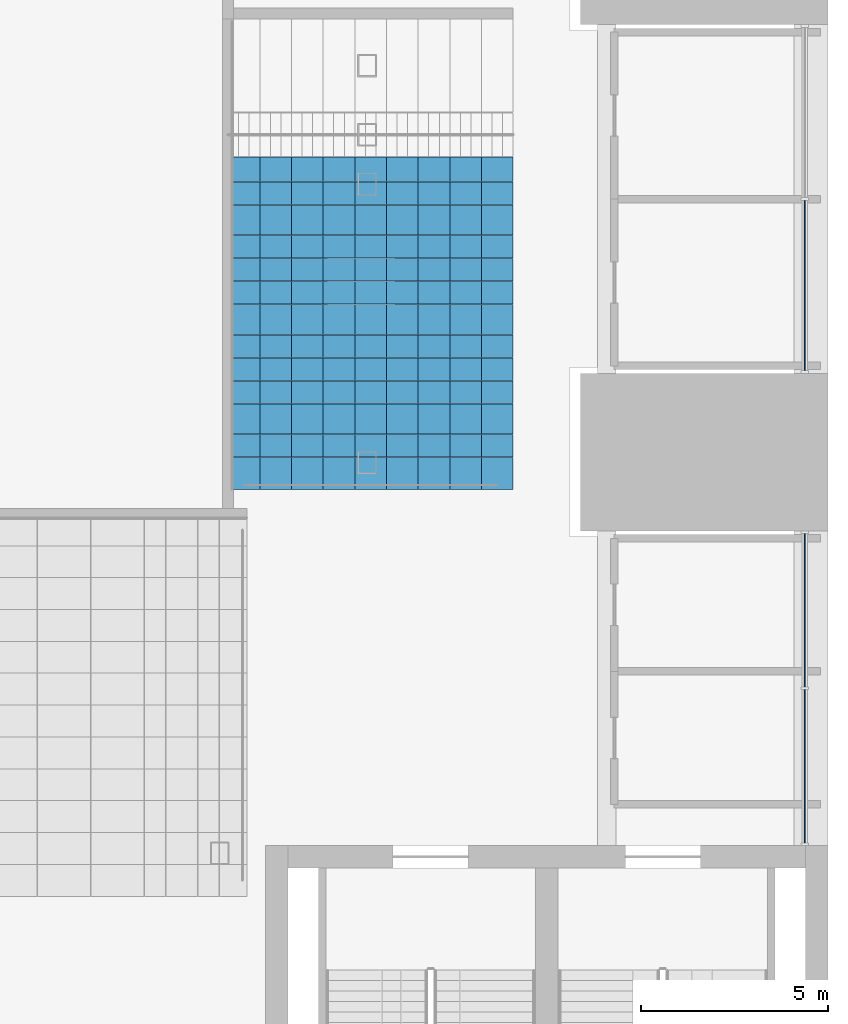
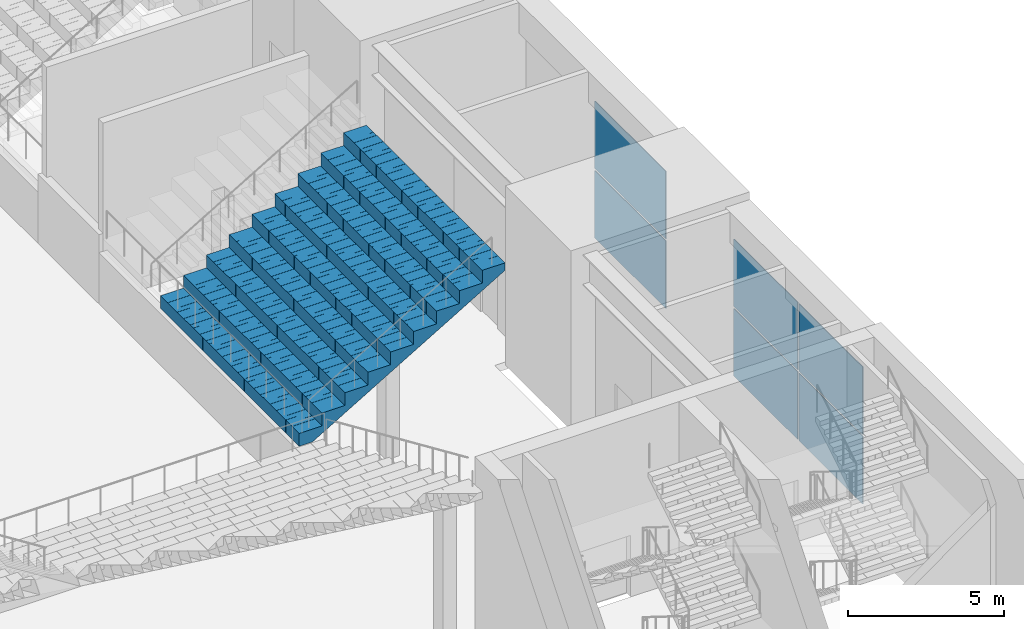
# One storey, part 30 of 62: 6 plates, 1 slab, 2 elements without a shape of their own.
"""IFC4 building model written with IfcOpenShell, lengths in metres."""

from ifc_helpers import new_model, si_unit, direction, frame, origin, origin_2d, place, context, subcontext, project, spatial, polyline, rectangle, outline, extrude, material, layer, layer_set, type_object, element, aggregate, save


model = new_model("IFC4")

# Units and contexts
model_context = context("Model", 3, precision=1e-05, world=origin(), true_north=direction((0.0, 1.0)))
body_context = subcontext(model_context, "Body", "Model", "MODEL_VIEW")
ifc_project = project(units=[si_unit("LENGTHUNIT", "METRE"), si_unit("AREAUNIT", "SQUARE_METRE"), si_unit("VOLUMEUNIT", "CUBIC_METRE"), si_unit("PLANEANGLEUNIT", "RADIAN"), si_unit("MASSUNIT", "GRAM", prefix="KILO")], contexts=[model_context])

# Site, building, storey
site_placement = place(None, origin())
site = spatial("IfcSite", under=ifc_project, at=site_placement, CompositionType="ELEMENT")
building_placement = place(site_placement, origin())
building = spatial("IfcBuilding", under=site, at=building_placement, Name="Corbelhall Arena Tower", CompositionType="ELEMENT")
storey_placement = place(building_placement, frame((0.0, 0.0, 12.0)))
storey = spatial("IfcBuildingStorey", under=building, at=storey_placement, Name="L01", CompositionType="ELEMENT", Elevation=12.0)

# Slab
ifc_material_1 = material(Name="Precast concrete C40/50", Category="concrete")
ifc_layer_1 = layer(ifc_material_1, 0.25)
ifc_layer_set_1 = layer_set([ifc_layer_1], Name="AR-TIER-RAKED")
slab_type = type_object("IfcSlabType", Name="AR-TIER-RAKED", PredefinedType="FLOOR", material=ifc_layer_set_1)
slab_placement = place(storey_placement, frame((32.0, -10.066650390625, 2.0), z_axis=(0.0, 0.0, 1.0), x_axis=(1.0, 0.0, 0.0)))
element("IfcSlab", 1, at=slab_placement, inside=storey, type_object=slab_type, Name="Tier section LEA", PredefinedType="FLOOR", context=body_context, shape_type="SweptSolid", body=[
    extrude(outline(polyline([(0.0, 0.0), (0.0, 0.5), (0.844970703125, 0.5), (0.844970703125, 1.0), (1.68994140625, 1.0), (1.68994140625, 1.5), (2.534912109375, 1.5), (2.534912109375, 2.0), (3.3798828125, 2.0), (3.3798828125, 2.5), (4.22509765625, 2.5), (4.22509765625, 3.0), (5.070068359375, 3.0), (5.070068359375, 3.5), (5.9150390625, 3.5), (5.9150390625, 4.0), (6.760009765625, 4.0), (6.760009765625, 4.5), (7.60498046875, 4.5), (7.60498046875, 5.0), (7.60498046875, 4.20947265625), (0.490966796875, 0.0), (0.0, 0.0)])), frame((0.0, 4.433349609375, 0.0), z_axis=(0.0, -1.0, 0.0), x_axis=(1.0, 0.0, 0.0)), (0.0, 0.0, 1.0), 0.449951171875),
    extrude(outline(polyline([(0.0, 0.0), (0.0, 0.5), (0.844970703125, 0.5), (0.844970703125, 1.0), (1.68994140625, 1.0), (1.68994140625, 1.5), (2.534912109375, 1.5), (2.534912109375, 2.0), (3.3798828125, 2.0), (3.3798828125, 2.5), (4.22509765625, 2.5), (4.22509765625, 3.0), (5.070068359375, 3.0), (5.070068359375, 3.5), (5.9150390625, 3.5), (5.9150390625, 4.0), (6.760009765625, 4.0), (6.760009765625, 4.5), (7.60498046875, 4.5), (7.60498046875, 5.0), (7.60498046875, 4.20947265625), (0.490966796875, 0.0), (0.0, 0.0)])), frame((0.0, 3.979248046875, 0.0), z_axis=(0.0, -1.0, 0.0), x_axis=(1.0, 0.0, 0.0)), (0.0, 0.0, 1.0), 0.2001953125),
    extrude(outline(polyline([(0.0, 0.0), (0.0, 0.5), (0.844970703125, 0.5), (0.844970703125, 1.0), (1.68994140625, 1.0), (1.68994140625, 1.5), (2.534912109375, 1.5), (2.534912109375, 2.0), (3.3798828125, 2.0), (3.3798828125, 2.5), (4.22509765625, 2.5), (4.22509765625, 3.0), (5.070068359375, 3.0), (5.070068359375, 3.5), (5.9150390625, 3.5), (5.9150390625, 4.0), (6.760009765625, 4.0), (6.760009765625, 4.5), (7.60498046875, 4.5), (7.60498046875, 5.0), (7.60498046875, 4.20947265625), (0.490966796875, 0.0), (0.0, 0.0)])), frame((0.0, 3.775146484375, 0.0), z_axis=(0.0, -1.0, 0.0), x_axis=(1.0, 0.0, 0.0)), (0.0, 0.0, 1.0), 0.2001953125),
    extrude(outline(polyline([(0.0, 0.0), (0.0, 0.5), (0.844970703125, 0.5), (0.844970703125, 1.0), (1.68994140625, 1.0), (1.68994140625, 1.5), (2.534912109375, 1.5), (2.534912109375, 2.0), (3.3798828125, 2.0), (3.3798828125, 2.5), (4.22509765625, 2.5), (4.22509765625, 3.0), (5.070068359375, 3.0), (5.070068359375, 3.5), (5.9150390625, 3.5), (5.9150390625, 4.0), (6.760009765625, 4.0), (6.760009765625, 4.5), (7.60498046875, 4.5), (7.60498046875, 5.0), (7.60498046875, 4.20947265625), (0.490966796875, 0.0), (0.0, 0.0)])), frame((0.0, 3.571044921875, 0.0), z_axis=(0.0, -1.0, 0.0), x_axis=(1.0, 0.0, 0.0)), (0.0, 0.0, 1.0), 0.2001953125),
    extrude(outline(polyline([(0.0, 0.0), (0.0, 0.5), (0.844970703125, 0.5), (0.844970703125, 1.0), (1.68994140625, 1.0), (1.68994140625, 1.5), (2.534912109375, 1.5), (2.534912109375, 2.0), (3.3798828125, 2.0), (3.3798828125, 2.5), (4.22509765625, 2.5), (4.22509765625, 3.0), (5.070068359375, 3.0), (5.070068359375, 3.5), (5.9150390625, 3.5), (5.9150390625, 4.0), (6.760009765625, 4.0), (6.760009765625, 4.5), (7.60498046875, 4.5), (7.60498046875, 5.0), (7.60498046875, 4.20947265625), (0.490966796875, 0.0), (0.0, 0.0)])), frame((0.0, 3.366943359375, 0.0), z_axis=(0.0, -1.0, 0.0), x_axis=(1.0, 0.0, 0.0)), (0.0, 0.0, 1.0), 0.2001953125),
    extrude(outline(polyline([(0.0, 0.0), (0.0, 0.5), (0.844970703125, 0.5), (0.844970703125, 1.0), (1.68994140625, 1.0), (1.68994140625, 1.5), (2.534912109375, 1.5), (2.534912109375, 2.0), (3.3798828125, 2.0), (3.3798828125, 2.5), (4.22509765625, 2.5), (4.22509765625, 3.0), (5.070068359375, 3.0), (5.070068359375, 3.5), (5.9150390625, 3.5), (5.9150390625, 4.0), (6.760009765625, 4.0), (6.760009765625, 4.5), (7.60498046875, 4.5), (7.60498046875, 5.0), (7.60498046875, 4.20947265625), (0.490966796875, 0.0), (0.0, 0.0)])), frame((0.0, 3.16259765625, 0.0), z_axis=(0.0, -1.0, 0.0), x_axis=(1.0, 0.0, 0.0)), (0.0, 0.0, 1.0), 0.2001953125),
    extrude(outline(polyline([(0.0, 0.0), (0.0, 0.5), (0.844970703125, 0.5), (0.844970703125, 1.0), (1.68994140625, 1.0), (1.68994140625, 1.5), (2.534912109375, 1.5), (2.534912109375, 2.0), (3.3798828125, 2.0), (3.3798828125, 2.5), (4.22509765625, 2.5), (4.22509765625, 3.0), (5.070068359375, 3.0), (5.070068359375, 3.5), (5.9150390625, 3.5), (5.9150390625, 4.0), (6.760009765625, 4.0), (6.760009765625, 4.5), (7.60498046875, 4.5), (7.60498046875, 5.0), (7.60498046875, 4.20947265625), (0.490966796875, 0.0), (0.0, 0.0)])), frame((0.0, 2.95849609375, 0.0), z_axis=(0.0, -1.0, 0.0), x_axis=(1.0, 0.0, 0.0)), (0.0, 0.0, 1.0), 0.2001953125),
    extrude(outline(polyline([(0.0, 0.0), (0.0, 0.5), (0.844970703125, 0.5), (0.844970703125, 1.0), (1.68994140625, 1.0), (1.68994140625, 1.5), (2.534912109375, 1.5), (2.534912109375, 2.0), (3.3798828125, 2.0), (3.3798828125, 2.5), (4.22509765625, 2.5), (4.22509765625, 3.0), (5.070068359375, 3.0), (5.070068359375, 3.5), (5.9150390625, 3.5), (5.9150390625, 4.0), (6.760009765625, 4.0), (6.760009765625, 4.5), (7.60498046875, 4.5), (7.60498046875, 5.0), (7.60498046875, 4.20947265625), (0.490966796875, 0.0), (0.0, 0.0)])), frame((0.0, 2.75439453125, 0.0), z_axis=(0.0, -1.0, 0.0), x_axis=(1.0, 0.0, 0.0)), (0.0, 0.0, 1.0), 0.2001953125),
    extrude(outline(polyline([(0.0, 0.0), (0.0, 0.5), (0.844970703125, 0.5), (0.844970703125, 1.0), (1.68994140625, 1.0), (1.68994140625, 1.5), (2.534912109375, 1.5), (2.534912109375, 2.0), (3.3798828125, 2.0), (3.3798828125, 2.5), (4.22509765625, 2.5), (4.22509765625, 3.0), (5.070068359375, 3.0), (5.070068359375, 3.5), (5.9150390625, 3.5), (5.9150390625, 4.0), (6.760009765625, 4.0), (6.760009765625, 4.5), (7.60498046875, 4.5), (7.60498046875, 5.0), (7.60498046875, 4.20947265625), (0.490966796875, 0.0), (0.0, 0.0)])), frame((0.0, 2.550048828125, 0.0), z_axis=(0.0, -1.0, 0.0), x_axis=(1.0, 0.0, 0.0)), (0.0, 0.0, 1.0), 0.2001953125),
    extrude(outline(polyline([(0.0, 0.0), (0.0, 0.5), (0.844970703125, 0.5), (0.844970703125, 1.0), (1.68994140625, 1.0), (1.68994140625, 1.5), (2.534912109375, 1.5), (2.534912109375, 2.0), (3.3798828125, 2.0), (3.3798828125, 2.5), (4.22509765625, 2.5), (4.22509765625, 3.0), (5.070068359375, 3.0), (5.070068359375, 3.5), (5.9150390625, 3.5), (5.9150390625, 4.0), (6.760009765625, 4.0), (6.760009765625, 4.5), (7.60498046875, 4.5), (7.60498046875, 5.0), (7.60498046875, 4.20947265625), (0.490966796875, 0.0), (0.0, 0.0)])), frame((0.0, 2.345947265625, 0.0), z_axis=(0.0, -1.0, 0.0), x_axis=(1.0, 0.0, 0.0)), (0.0, 0.0, 1.0), 0.2001953125),
    extrude(outline(polyline([(0.0, 0.0), (0.0, 0.5), (0.844970703125, 0.5), (0.844970703125, 1.0), (1.68994140625, 1.0), (1.68994140625, 1.5), (2.534912109375, 1.5), (2.534912109375, 2.0), (3.3798828125, 2.0), (3.3798828125, 2.5), (4.22509765625, 2.5), (4.22509765625, 3.0), (5.070068359375, 3.0), (5.070068359375, 3.5), (5.9150390625, 3.5), (5.9150390625, 4.0), (6.760009765625, 4.0), (6.760009765625, 4.5), (7.60498046875, 4.5), (7.60498046875, 5.0), (7.60498046875, 4.20947265625), (0.490966796875, 0.0), (0.0, 0.0)])), frame((0.0, 2.141845703125, 0.0), z_axis=(0.0, -1.0, 0.0), x_axis=(1.0, 0.0, 0.0)), (0.0, 0.0, 1.0), 0.2001953125),
    extrude(outline(polyline([(0.0, 0.0), (0.0, 0.5), (0.844970703125, 0.5), (0.844970703125, 1.0), (1.68994140625, 1.0), (1.68994140625, 1.5), (2.534912109375, 1.5), (2.534912109375, 2.0), (3.3798828125, 2.0), (3.3798828125, 2.5), (4.22509765625, 2.5), (4.22509765625, 3.0), (5.070068359375, 3.0), (5.070068359375, 3.5), (5.9150390625, 3.5), (5.9150390625, 4.0), (6.760009765625, 4.0), (6.760009765625, 4.5), (7.60498046875, 4.5), (7.60498046875, 5.0), (7.60498046875, 4.20947265625), (0.490966796875, 0.0), (0.0, 0.0)])), frame((0.0, 1.937744140625, 0.0), z_axis=(0.0, -1.0, 0.0), x_axis=(1.0, 0.0, 0.0)), (0.0, 0.0, 1.0), 0.2001953125),
    extrude(outline(polyline([(0.0, 0.0), (0.0, 0.5), (0.844970703125, 0.5), (0.844970703125, 1.0), (1.68994140625, 1.0), (1.68994140625, 1.5), (2.534912109375, 1.5), (2.534912109375, 2.0), (3.3798828125, 2.0), (3.3798828125, 2.5), (4.22509765625, 2.5), (4.22509765625, 3.0), (5.070068359375, 3.0), (5.070068359375, 3.5), (5.9150390625, 3.5), (5.9150390625, 4.0), (6.760009765625, 4.0), (6.760009765625, 4.5), (7.60498046875, 4.5), (7.60498046875, 5.0), (7.60498046875, 4.20947265625), (0.490966796875, 0.0), (0.0, 0.0)])), frame((0.0, 1.7333984375, 0.0), z_axis=(0.0, -1.0, 0.0), x_axis=(1.0, 0.0, 0.0)), (0.0, 0.0, 1.0), 0.2001953125),
    extrude(outline(polyline([(0.0, 0.0), (0.0, 0.5), (0.844970703125, 0.5), (0.844970703125, 1.0), (1.68994140625, 1.0), (1.68994140625, 1.5), (2.534912109375, 1.5), (2.534912109375, 2.0), (3.3798828125, 2.0), (3.3798828125, 2.5), (4.22509765625, 2.5), (4.22509765625, 3.0), (5.070068359375, 3.0), (5.070068359375, 3.5), (5.9150390625, 3.5), (5.9150390625, 4.0), (6.760009765625, 4.0), (6.760009765625, 4.5), (7.60498046875, 4.5), (7.60498046875, 5.0), (7.60498046875, 4.20947265625), (0.490966796875, 0.0), (0.0, 0.0)])), frame((0.0, 1.529296875, 0.0), z_axis=(0.0, -1.0, 0.0), x_axis=(1.0, 0.0, 0.0)), (0.0, 0.0, 1.0), 0.2001953125),
    extrude(outline(polyline([(0.0, 0.0), (0.0, 0.5), (0.844970703125, 0.5), (0.844970703125, 1.0), (1.68994140625, 1.0), (1.68994140625, 1.5), (2.534912109375, 1.5), (2.534912109375, 2.0), (3.3798828125, 2.0), (3.3798828125, 2.5), (4.22509765625, 2.5), (4.22509765625, 3.0), (5.070068359375, 3.0), (5.070068359375, 3.5), (5.9150390625, 3.5), (5.9150390625, 4.0), (6.760009765625, 4.0), (6.760009765625, 4.5), (7.60498046875, 4.5), (7.60498046875, 5.0), (7.60498046875, 4.20947265625), (0.490966796875, 0.0), (0.0, 0.0)])), frame((0.0, 1.3251953125, 0.0), z_axis=(0.0, -1.0, 0.0), x_axis=(1.0, 0.0, 0.0)), (0.0, 0.0, 1.0), 0.2001953125),
    extrude(outline(polyline([(0.0, 0.0), (0.0, 0.5), (0.844970703125, 0.5), (0.844970703125, 1.0), (1.68994140625, 1.0), (1.68994140625, 1.5), (2.534912109375, 1.5), (2.534912109375, 2.0), (3.3798828125, 2.0), (3.3798828125, 2.5), (4.22509765625, 2.5), (4.22509765625, 3.0), (5.070068359375, 3.0), (5.070068359375, 3.5), (5.9150390625, 3.5), (5.9150390625, 4.0), (6.760009765625, 4.0), (6.760009765625, 4.5), (7.60498046875, 4.5), (7.60498046875, 5.0), (7.60498046875, 4.20947265625), (0.490966796875, 0.0), (0.0, 0.0)])), frame((0.0, 1.120849609375, 0.0), z_axis=(0.0, -1.0, 0.0), x_axis=(1.0, 0.0, 0.0)), (0.0, 0.0, 1.0), 0.2001953125),
    extrude(outline(polyline([(0.0, 0.0), (0.0, 0.5), (0.844970703125, 0.5), (0.844970703125, 1.0), (1.68994140625, 1.0), (1.68994140625, 1.5), (2.534912109375, 1.5), (2.534912109375, 2.0), (3.3798828125, 2.0), (3.3798828125, 2.5), (4.22509765625, 2.5), (4.22509765625, 3.0), (5.070068359375, 3.0), (5.070068359375, 3.5), (5.9150390625, 3.5), (5.9150390625, 4.0), (6.760009765625, 4.0), (6.760009765625, 4.5), (7.60498046875, 4.5), (7.60498046875, 5.0), (7.60498046875, 4.20947265625), (0.490966796875, 0.0), (0.0, 0.0)])), frame((0.0, 0.916748046875, 0.0), z_axis=(0.0, -1.0, 0.0), x_axis=(1.0, 0.0, 0.0)), (0.0, 0.0, 1.0), 0.2001953125),
    extrude(outline(polyline([(0.0, 0.0), (0.0, 0.5), (0.844970703125, 0.5), (0.844970703125, 1.0), (1.68994140625, 1.0), (1.68994140625, 1.5), (2.534912109375, 1.5), (2.534912109375, 2.0), (3.3798828125, 2.0), (3.3798828125, 2.5), (4.22509765625, 2.5), (4.22509765625, 3.0), (5.070068359375, 3.0), (5.070068359375, 3.5), (5.9150390625, 3.5), (5.9150390625, 4.0), (6.760009765625, 4.0), (6.760009765625, 4.5), (7.60498046875, 4.5), (7.60498046875, 5.0), (7.60498046875, 4.20947265625), (0.490966796875, 0.0), (0.0, 0.0)])), frame((0.0, 0.712646484375, 0.0), z_axis=(0.0, -1.0, 0.0), x_axis=(1.0, 0.0, 0.0)), (0.0, 0.0, 1.0), 0.2001953125),
    extrude(outline(polyline([(0.0, 0.0), (0.0, 0.5), (0.844970703125, 0.5), (0.844970703125, 1.0), (1.68994140625, 1.0), (1.68994140625, 1.5), (2.534912109375, 1.5), (2.534912109375, 2.0), (3.3798828125, 2.0), (3.3798828125, 2.5), (4.22509765625, 2.5), (4.22509765625, 3.0), (5.070068359375, 3.0), (5.070068359375, 3.5), (5.9150390625, 3.5), (5.9150390625, 4.0), (6.760009765625, 4.0), (6.760009765625, 4.5), (7.60498046875, 4.5), (7.60498046875, 5.0), (7.60498046875, 4.20947265625), (0.490966796875, 0.0), (0.0, 0.0)])), frame((0.0, 0.508544921875, 0.0), z_axis=(0.0, -1.0, 0.0), x_axis=(1.0, 0.0, 0.0)), (0.0, 0.0, 1.0), 0.2001953125),
    extrude(outline(polyline([(0.0, 0.0), (0.0, 0.5), (0.844970703125, 0.5), (0.844970703125, 1.0), (1.68994140625, 1.0), (1.68994140625, 1.5), (2.534912109375, 1.5), (2.534912109375, 2.0), (3.3798828125, 2.0), (3.3798828125, 2.5), (4.22509765625, 2.5), (4.22509765625, 3.0), (5.070068359375, 3.0), (5.070068359375, 3.5), (5.9150390625, 3.5), (5.9150390625, 4.0), (6.760009765625, 4.0), (6.760009765625, 4.5), (7.60498046875, 4.5), (7.60498046875, 5.0), (7.60498046875, 4.20947265625), (0.490966796875, 0.0), (0.0, 0.0)])), frame((0.0, 0.30419921875, 0.0), z_axis=(0.0, -1.0, 0.0), x_axis=(1.0, 0.0, 0.0)), (0.0, 0.0, 1.0), 0.2001953125),
    extrude(outline(polyline([(0.0, 0.0), (0.0, 0.5), (0.844970703125, 0.5), (0.844970703125, 1.0), (1.68994140625, 1.0), (1.68994140625, 1.5), (2.534912109375, 1.5), (2.534912109375, 2.0), (3.3798828125, 2.0), (3.3798828125, 2.5), (4.22509765625, 2.5), (4.22509765625, 3.0), (5.070068359375, 3.0), (5.070068359375, 3.5), (5.9150390625, 3.5), (5.9150390625, 4.0), (6.760009765625, 4.0), (6.760009765625, 4.5), (7.60498046875, 4.5), (7.60498046875, 5.0), (7.60498046875, 4.20947265625), (0.490966796875, 0.0), (0.0, 0.0)])), frame((0.0, 0.10009765625, 0.0), z_axis=(0.0, -1.0, 0.0), x_axis=(1.0, 0.0, 0.0)), (0.0, 0.0, 1.0), 0.2001953125),
    extrude(outline(polyline([(0.0, 0.0), (0.0, 0.5), (0.844970703125, 0.5), (0.844970703125, 1.0), (1.68994140625, 1.0), (1.68994140625, 1.5), (2.534912109375, 1.5), (2.534912109375, 2.0), (3.3798828125, 2.0), (3.3798828125, 2.5), (4.22509765625, 2.5), (4.22509765625, 3.0), (5.070068359375, 3.0), (5.070068359375, 3.5), (5.9150390625, 3.5), (5.9150390625, 4.0), (6.760009765625, 4.0), (6.760009765625, 4.5), (7.60498046875, 4.5), (7.60498046875, 5.0), (7.60498046875, 4.20947265625), (0.490966796875, 0.0), (0.0, 0.0)])), frame((0.0, -0.10400390625, 0.0), z_axis=(0.0, -1.0, 0.0), x_axis=(1.0, 0.0, 0.0)), (0.0, 0.0, 1.0), 0.2001953125),
    extrude(outline(polyline([(0.0, 0.0), (0.0, 0.5), (0.844970703125, 0.5), (0.844970703125, 1.0), (1.68994140625, 1.0), (1.68994140625, 1.5), (2.534912109375, 1.5), (2.534912109375, 2.0), (3.3798828125, 2.0), (3.3798828125, 2.5), (4.22509765625, 2.5), (4.22509765625, 3.0), (5.070068359375, 3.0), (5.070068359375, 3.5), (5.9150390625, 3.5), (5.9150390625, 4.0), (6.760009765625, 4.0), (6.760009765625, 4.5), (7.60498046875, 4.5), (7.60498046875, 5.0), (7.60498046875, 4.20947265625), (0.490966796875, 0.0), (0.0, 0.0)])), frame((0.0, -0.308349609375, 0.0), z_axis=(0.0, -1.0, 0.0), x_axis=(1.0, 0.0, 0.0)), (0.0, 0.0, 1.0), 0.2001953125),
    extrude(outline(polyline([(0.0, 0.0), (0.0, 0.5), (0.844970703125, 0.5), (0.844970703125, 1.0), (1.68994140625, 1.0), (1.68994140625, 1.5), (2.534912109375, 1.5), (2.534912109375, 2.0), (3.3798828125, 2.0), (3.3798828125, 2.5), (4.22509765625, 2.5), (4.22509765625, 3.0), (5.070068359375, 3.0), (5.070068359375, 3.5), (5.9150390625, 3.5), (5.9150390625, 4.0), (6.760009765625, 4.0), (6.760009765625, 4.5), (7.60498046875, 4.5), (7.60498046875, 5.0), (7.60498046875, 4.20947265625), (0.490966796875, 0.0), (0.0, 0.0)])), frame((0.0, -0.512451171875, 0.0), z_axis=(0.0, -1.0, 0.0), x_axis=(1.0, 0.0, 0.0)), (0.0, 0.0, 1.0), 0.2001953125),
    extrude(outline(polyline([(0.0, 0.0), (0.0, 0.5), (0.844970703125, 0.5), (0.844970703125, 1.0), (1.68994140625, 1.0), (1.68994140625, 1.5), (2.534912109375, 1.5), (2.534912109375, 2.0), (3.3798828125, 2.0), (3.3798828125, 2.5), (4.22509765625, 2.5), (4.22509765625, 3.0), (5.070068359375, 3.0), (5.070068359375, 3.5), (5.9150390625, 3.5), (5.9150390625, 4.0), (6.760009765625, 4.0), (6.760009765625, 4.5), (7.60498046875, 4.5), (7.60498046875, 5.0), (7.60498046875, 4.20947265625), (0.490966796875, 0.0), (0.0, 0.0)])), frame((0.0, -0.716552734375, 0.0), z_axis=(0.0, -1.0, 0.0), x_axis=(1.0, 0.0, 0.0)), (0.0, 0.0, 1.0), 0.2001953125),
    extrude(outline(polyline([(0.0, 0.0), (0.0, 0.5), (0.844970703125, 0.5), (0.844970703125, 1.0), (1.68994140625, 1.0), (1.68994140625, 1.5), (2.534912109375, 1.5), (2.534912109375, 2.0), (3.3798828125, 2.0), (3.3798828125, 2.5), (4.22509765625, 2.5), (4.22509765625, 3.0), (5.070068359375, 3.0), (5.070068359375, 3.5), (5.9150390625, 3.5), (5.9150390625, 4.0), (6.760009765625, 4.0), (6.760009765625, 4.5), (7.60498046875, 4.5), (7.60498046875, 5.0), (7.60498046875, 4.20947265625), (0.490966796875, 0.0), (0.0, 0.0)])), frame((0.0, -0.920654296875, 0.0), z_axis=(0.0, -1.0, 0.0), x_axis=(1.0, 0.0, 0.0)), (0.0, 0.0, 1.0), 0.2001953125),
    extrude(outline(polyline([(0.0, 0.0), (0.0, 0.5), (0.844970703125, 0.5), (0.844970703125, 1.0), (1.68994140625, 1.0), (1.68994140625, 1.5), (2.534912109375, 1.5), (2.534912109375, 2.0), (3.3798828125, 2.0), (3.3798828125, 2.5), (4.22509765625, 2.5), (4.22509765625, 3.0), (5.070068359375, 3.0), (5.070068359375, 3.5), (5.9150390625, 3.5), (5.9150390625, 4.0), (6.760009765625, 4.0), (6.760009765625, 4.5), (7.60498046875, 4.5), (7.60498046875, 5.0), (7.60498046875, 4.20947265625), (0.490966796875, 0.0), (0.0, 0.0)])), frame((0.0, -1.125, 0.0), z_axis=(0.0, -1.0, 0.0), x_axis=(1.0, 0.0, 0.0)), (0.0, 0.0, 1.0), 0.2001953125),
    extrude(outline(polyline([(0.0, 0.0), (0.0, 0.5), (0.844970703125, 0.5), (0.844970703125, 1.0), (1.68994140625, 1.0), (1.68994140625, 1.5), (2.534912109375, 1.5), (2.534912109375, 2.0), (3.3798828125, 2.0), (3.3798828125, 2.5), (4.22509765625, 2.5), (4.22509765625, 3.0), (5.070068359375, 3.0), (5.070068359375, 3.5), (5.9150390625, 3.5), (5.9150390625, 4.0), (6.760009765625, 4.0), (6.760009765625, 4.5), (7.60498046875, 4.5), (7.60498046875, 5.0), (7.60498046875, 4.20947265625), (0.490966796875, 0.0), (0.0, 0.0)])), frame((0.0, -1.3291015625, 0.0), z_axis=(0.0, -1.0, 0.0), x_axis=(1.0, 0.0, 0.0)), (0.0, 0.0, 1.0), 0.2001953125),
    extrude(outline(polyline([(0.0, 0.0), (0.0, 0.5), (0.844970703125, 0.5), (0.844970703125, 1.0), (1.68994140625, 1.0), (1.68994140625, 1.5), (2.534912109375, 1.5), (2.534912109375, 2.0), (3.3798828125, 2.0), (3.3798828125, 2.5), (4.22509765625, 2.5), (4.22509765625, 3.0), (5.070068359375, 3.0), (5.070068359375, 3.5), (5.9150390625, 3.5), (5.9150390625, 4.0), (6.760009765625, 4.0), (6.760009765625, 4.5), (7.60498046875, 4.5), (7.60498046875, 5.0), (7.60498046875, 4.20947265625), (0.490966796875, 0.0), (0.0, 0.0)])), frame((0.0, -1.533203125, 0.0), z_axis=(0.0, -1.0, 0.0), x_axis=(1.0, 0.0, 0.0)), (0.0, 0.0, 1.0), 0.2001953125),
    extrude(outline(polyline([(0.0, 0.0), (0.0, 0.5), (0.844970703125, 0.5), (0.844970703125, 1.0), (1.68994140625, 1.0), (1.68994140625, 1.5), (2.534912109375, 1.5), (2.534912109375, 2.0), (3.3798828125, 2.0), (3.3798828125, 2.5), (4.22509765625, 2.5), (4.22509765625, 3.0), (5.070068359375, 3.0), (5.070068359375, 3.5), (5.9150390625, 3.5), (5.9150390625, 4.0), (6.760009765625, 4.0), (6.760009765625, 4.5), (7.60498046875, 4.5), (7.60498046875, 5.0), (7.60498046875, 4.20947265625), (0.490966796875, 0.0), (0.0, 0.0)])), frame((0.0, -1.737548828125, 0.0), z_axis=(0.0, -1.0, 0.0), x_axis=(1.0, 0.0, 0.0)), (0.0, 0.0, 1.0), 0.2001953125),
    extrude(outline(polyline([(0.0, 0.0), (0.0, 0.5), (0.844970703125, 0.5), (0.844970703125, 1.0), (1.68994140625, 1.0), (1.68994140625, 1.5), (2.534912109375, 1.5), (2.534912109375, 2.0), (3.3798828125, 2.0), (3.3798828125, 2.5), (4.22509765625, 2.5), (4.22509765625, 3.0), (5.070068359375, 3.0), (5.070068359375, 3.5), (5.9150390625, 3.5), (5.9150390625, 4.0), (6.760009765625, 4.0), (6.760009765625, 4.5), (7.60498046875, 4.5), (7.60498046875, 5.0), (7.60498046875, 4.20947265625), (0.490966796875, 0.0), (0.0, 0.0)])), frame((0.0, -1.941650390625, 0.0), z_axis=(0.0, -1.0, 0.0), x_axis=(1.0, 0.0, 0.0)), (0.0, 0.0, 1.0), 0.2001953125),
    extrude(outline(polyline([(0.0, 0.0), (0.0, 0.5), (0.844970703125, 0.5), (0.844970703125, 1.0), (1.68994140625, 1.0), (1.68994140625, 1.5), (2.534912109375, 1.5), (2.534912109375, 2.0), (3.3798828125, 2.0), (3.3798828125, 2.5), (4.22509765625, 2.5), (4.22509765625, 3.0), (5.070068359375, 3.0), (5.070068359375, 3.5), (5.9150390625, 3.5), (5.9150390625, 4.0), (6.760009765625, 4.0), (6.760009765625, 4.5), (7.60498046875, 4.5), (7.60498046875, 5.0), (7.60498046875, 4.20947265625), (0.490966796875, 0.0), (0.0, 0.0)])), frame((0.0, -2.145751953125, 0.0), z_axis=(0.0, -1.0, 0.0), x_axis=(1.0, 0.0, 0.0)), (0.0, 0.0, 1.0), 0.2001953125),
    extrude(outline(polyline([(0.0, 0.0), (0.0, 0.5), (0.844970703125, 0.5), (0.844970703125, 1.0), (1.68994140625, 1.0), (1.68994140625, 1.5), (2.534912109375, 1.5), (2.534912109375, 2.0), (3.3798828125, 2.0), (3.3798828125, 2.5), (4.22509765625, 2.5), (4.22509765625, 3.0), (5.070068359375, 3.0), (5.070068359375, 3.5), (5.9150390625, 3.5), (5.9150390625, 4.0), (6.760009765625, 4.0), (6.760009765625, 4.5), (7.60498046875, 4.5), (7.60498046875, 5.0), (7.60498046875, 4.20947265625), (0.490966796875, 0.0), (0.0, 0.0)])), frame((0.0, -2.349853515625, 0.0), z_axis=(0.0, -1.0, 0.0), x_axis=(1.0, 0.0, 0.0)), (0.0, 0.0, 1.0), 0.2001953125),
    extrude(outline(polyline([(0.0, 0.0), (0.0, 0.5), (0.844970703125, 0.5), (0.844970703125, 1.0), (1.68994140625, 1.0), (1.68994140625, 1.5), (2.534912109375, 1.5), (2.534912109375, 2.0), (3.3798828125, 2.0), (3.3798828125, 2.5), (4.22509765625, 2.5), (4.22509765625, 3.0), (5.070068359375, 3.0), (5.070068359375, 3.5), (5.9150390625, 3.5), (5.9150390625, 4.0), (6.760009765625, 4.0), (6.760009765625, 4.5), (7.60498046875, 4.5), (7.60498046875, 5.0), (7.60498046875, 4.20947265625), (0.490966796875, 0.0), (0.0, 0.0)])), frame((0.0, -2.55419921875, 0.0), z_axis=(0.0, -1.0, 0.0), x_axis=(1.0, 0.0, 0.0)), (0.0, 0.0, 1.0), 0.2001953125),
    extrude(outline(polyline([(0.0, 0.0), (0.0, 0.5), (0.844970703125, 0.5), (0.844970703125, 1.0), (1.68994140625, 1.0), (1.68994140625, 1.5), (2.534912109375, 1.5), (2.534912109375, 2.0), (3.3798828125, 2.0), (3.3798828125, 2.5), (4.22509765625, 2.5), (4.22509765625, 3.0), (5.070068359375, 3.0), (5.070068359375, 3.5), (5.9150390625, 3.5), (5.9150390625, 4.0), (6.760009765625, 4.0), (6.760009765625, 4.5), (7.60498046875, 4.5), (7.60498046875, 5.0), (7.60498046875, 4.20947265625), (0.490966796875, 0.0), (0.0, 0.0)])), frame((0.0, -2.75830078125, 0.0), z_axis=(0.0, -1.0, 0.0), x_axis=(1.0, 0.0, 0.0)), (0.0, 0.0, 1.0), 0.2001953125),
    extrude(outline(polyline([(0.0, 0.0), (0.0, 0.5), (0.844970703125, 0.5), (0.844970703125, 1.0), (1.68994140625, 1.0), (1.68994140625, 1.5), (2.534912109375, 1.5), (2.534912109375, 2.0), (3.3798828125, 2.0), (3.3798828125, 2.5), (4.22509765625, 2.5), (4.22509765625, 3.0), (5.070068359375, 3.0), (5.070068359375, 3.5), (5.9150390625, 3.5), (5.9150390625, 4.0), (6.760009765625, 4.0), (6.760009765625, 4.5), (7.60498046875, 4.5), (7.60498046875, 5.0), (7.60498046875, 4.20947265625), (0.490966796875, 0.0), (0.0, 0.0)])), frame((0.0, -2.96240234375, 0.0), z_axis=(0.0, -1.0, 0.0), x_axis=(1.0, 0.0, 0.0)), (0.0, 0.0, 1.0), 0.2001953125),
    extrude(outline(polyline([(0.0, 0.0), (0.0, 0.5), (0.844970703125, 0.5), (0.844970703125, 1.0), (1.68994140625, 1.0), (1.68994140625, 1.5), (2.534912109375, 1.5), (2.534912109375, 2.0), (3.3798828125, 2.0), (3.3798828125, 2.5), (4.22509765625, 2.5), (4.22509765625, 3.0), (5.070068359375, 3.0), (5.070068359375, 3.5), (5.9150390625, 3.5), (5.9150390625, 4.0), (6.760009765625, 4.0), (6.760009765625, 4.5), (7.60498046875, 4.5), (7.60498046875, 5.0), (7.60498046875, 4.20947265625), (0.490966796875, 0.0), (0.0, 0.0)])), frame((0.0, -3.166748046875, 0.0), z_axis=(0.0, -1.0, 0.0), x_axis=(1.0, 0.0, 0.0)), (0.0, 0.0, 1.0), 0.2001953125),
    extrude(outline(polyline([(0.0, 0.0), (0.0, 0.5), (0.844970703125, 0.5), (0.844970703125, 1.0), (1.68994140625, 1.0), (1.68994140625, 1.5), (2.534912109375, 1.5), (2.534912109375, 2.0), (3.3798828125, 2.0), (3.3798828125, 2.5), (4.22509765625, 2.5), (4.22509765625, 3.0), (5.070068359375, 3.0), (5.070068359375, 3.5), (5.9150390625, 3.5), (5.9150390625, 4.0), (6.760009765625, 4.0), (6.760009765625, 4.5), (7.60498046875, 4.5), (7.60498046875, 5.0), (7.60498046875, 4.20947265625), (0.490966796875, 0.0), (0.0, 0.0)])), frame((0.0, -3.370849609375, 0.0), z_axis=(0.0, -1.0, 0.0), x_axis=(1.0, 0.0, 0.0)), (0.0, 0.0, 1.0), 0.2001953125),
    extrude(outline(polyline([(0.0, 0.0), (0.0, 0.5), (0.844970703125, 0.5), (0.844970703125, 1.0), (1.68994140625, 1.0), (1.68994140625, 1.5), (2.534912109375, 1.5), (2.534912109375, 2.0), (3.3798828125, 2.0), (3.3798828125, 2.5), (4.22509765625, 2.5), (4.22509765625, 3.0), (5.070068359375, 3.0), (5.070068359375, 3.5), (5.9150390625, 3.5), (5.9150390625, 4.0), (6.760009765625, 4.0), (6.760009765625, 4.5), (7.60498046875, 4.5), (7.60498046875, 5.0), (7.60498046875, 4.20947265625), (0.490966796875, 0.0), (0.0, 0.0)])), frame((0.0, -3.574951171875, 0.0), z_axis=(0.0, -1.0, 0.0), x_axis=(1.0, 0.0, 0.0)), (0.0, 0.0, 1.0), 0.2001953125),
    extrude(outline(polyline([(0.0, 0.0), (0.0, 0.5), (0.844970703125, 0.5), (0.844970703125, 1.0), (1.68994140625, 1.0), (1.68994140625, 1.5), (2.534912109375, 1.5), (2.534912109375, 2.0), (3.3798828125, 2.0), (3.3798828125, 2.5), (4.22509765625, 2.5), (4.22509765625, 3.0), (5.070068359375, 3.0), (5.070068359375, 3.5), (5.9150390625, 3.5), (5.9150390625, 4.0), (6.760009765625, 4.0), (6.760009765625, 4.5), (7.60498046875, 4.5), (7.60498046875, 5.0), (7.60498046875, 4.20947265625), (0.490966796875, 0.0), (0.0, 0.0)])), frame((0.0, -3.779296875, 0.0), z_axis=(0.0, -1.0, 0.0), x_axis=(1.0, 0.0, 0.0)), (0.0, 0.0, 1.0), 0.2001953125),
    extrude(outline(polyline([(0.0, 0.0), (0.0, 0.5), (0.844970703125, 0.5), (0.844970703125, 1.0), (1.68994140625, 1.0), (1.68994140625, 1.5), (2.534912109375, 1.5), (2.534912109375, 2.0), (3.3798828125, 2.0), (3.3798828125, 2.5), (4.22509765625, 2.5), (4.22509765625, 3.0), (5.070068359375, 3.0), (5.070068359375, 3.5), (5.9150390625, 3.5), (5.9150390625, 4.0), (6.760009765625, 4.0), (6.760009765625, 4.5), (7.60498046875, 4.5), (7.60498046875, 5.0), (7.60498046875, 4.20947265625), (0.490966796875, 0.0), (0.0, 0.0)])), frame((0.0, -3.9833984375, 0.0), z_axis=(0.0, -1.0, 0.0), x_axis=(1.0, 0.0, 0.0)), (0.0, 0.0, 1.0), 0.449951171875),
])

# Curtain wall, plates
ifc_material_2 = material(Name="Aluminium black anodised", Category="aluminium")
ifc_layer_2 = layer(ifc_material_2, 0.239990234375)
ifc_layer_set_2 = layer_set([ifc_layer_2], Name="EV-CW4 Arena concourse glazing")
curtain_wall_type = type_object("IfcCurtainWallType", Name="EV-CW4 Arena concourse glazing", PredefinedType="NOTDEFINED", material=ifc_layer_set_2)
curtain_wall_1_placement = place(storey_placement, origin())
curtain_wall_1 = element("IfcCurtainWall", 2, at=curtain_wall_1_placement, inside=storey, type_object=curtain_wall_type, Name="Curtain wall CW4B", PredefinedType="NOTDEFINED")
ifc_material_3 = material(Name="Glass dark tinted laminated", Category="glass")
ifc_layer_3 = layer(ifc_material_3, 0.028076171875)
ifc_layer_set_3 = layer_set([ifc_layer_3], Name="EV-CW4-PANEL")
plate_type = type_object("IfcPlateType", Name="EV-CW4-PANEL", PredefinedType="CURTAIN_PANEL", material=ifc_layer_set_3)
plate_1_placement = place(storey_placement, frame((47.3798828125, -21.88134765625, 0.0751953125), z_axis=(0.0, 0.0, 1.0), x_axis=(0.0, 1.0, 0.0)))
plate_1 = element("IfcPlate", 3, at=plate_1_placement, type_object=plate_type, Name="CW4B panel 1.1", PredefinedType="CURTAIN_PANEL", context=body_context, shape_type="SweptSolid", body=[
    extrude(rectangle(XDim=4.08740234375, YDim=0.028076171875, at=origin_2d()), origin(), (0.0, 0.0, 1.0), 2.637451171875),
])
plate_2_placement = place(storey_placement, frame((47.3798828125, -21.88134765625, 2.78759765625), z_axis=(0.0, 0.0, 1.0), x_axis=(0.0, 1.0, 0.0)))
plate_2 = element("IfcPlate", 4, at=plate_2_placement, type_object=plate_type, Name="CW4B panel 1.2", PredefinedType="CURTAIN_PANEL", context=body_context, shape_type="SweptSolid", body=[
    extrude(rectangle(XDim=4.08740234375, YDim=0.028076171875, at=origin_2d()), origin(), (0.0, 0.0, 1.0), 2.637451171875),
])
plate_3_placement = place(storey_placement, frame((47.3798828125, -17.71875, 0.0751953125), z_axis=(0.0, 0.0, 1.0), x_axis=(0.0, 1.0, 0.0)))
plate_3 = element("IfcPlate", 5, at=plate_3_placement, type_object=plate_type, Name="CW4B panel 2.1", PredefinedType="CURTAIN_PANEL", context=body_context, shape_type="SweptSolid", body=[
    extrude(rectangle(XDim=4.08740234375, YDim=0.028076171875, at=origin_2d()), origin(), (0.0, 0.0, 1.0), 2.637451171875),
])
plate_4_placement = place(storey_placement, frame((47.3798828125, -17.71875, 2.78759765625), z_axis=(0.0, 0.0, 1.0), x_axis=(0.0, 1.0, 0.0)))
plate_4 = element("IfcPlate", 6, at=plate_4_placement, type_object=plate_type, Name="CW4B panel 2.2", PredefinedType="CURTAIN_PANEL", context=body_context, shape_type="SweptSolid", body=[
    extrude(rectangle(XDim=4.08740234375, YDim=0.028076171875, at=origin_2d()), origin(), (0.0, 0.0, 1.0), 2.637451171875),
])
aggregate(curtain_wall_1, [plate_1, plate_2, plate_3, plate_4])

curtain_wall_2_placement = place(storey_placement, origin())
curtain_wall_2 = element("IfcCurtainWall", 7, at=curtain_wall_2_placement, inside=storey, type_object=curtain_wall_type, Name="Curtain wall CW4", PredefinedType="NOTDEFINED")
plate_5_placement = place(storey_placement, frame((47.3798828125, -9.05615234375, 0.0751953125), z_axis=(0.0, 0.0, 1.0), x_axis=(0.0, 1.0, 0.0)))
plate_5 = element("IfcPlate", 8, at=plate_5_placement, type_object=plate_type, Name="CW4 panel 1.1", PredefinedType="CURTAIN_PANEL", context=body_context, shape_type="SweptSolid", body=[
    extrude(rectangle(XDim=4.53759765625, YDim=0.028076171875, at=origin_2d()), origin(), (0.0, 0.0, 1.0), 2.637451171875),
])
plate_6_placement = place(storey_placement, frame((47.3798828125, -9.05615234375, 2.78759765625), z_axis=(0.0, 0.0, 1.0), x_axis=(0.0, 1.0, 0.0)))
plate_6 = element("IfcPlate", 9, at=plate_6_placement, type_object=plate_type, Name="CW4 panel 1.2", PredefinedType="CURTAIN_PANEL", context=body_context, shape_type="SweptSolid", body=[
    extrude(rectangle(XDim=4.53759765625, YDim=0.028076171875, at=origin_2d()), origin(), (0.0, 0.0, 1.0), 2.637451171875),
])
aggregate(curtain_wall_2, [plate_5, plate_6])

save(model, "model.ifc")
